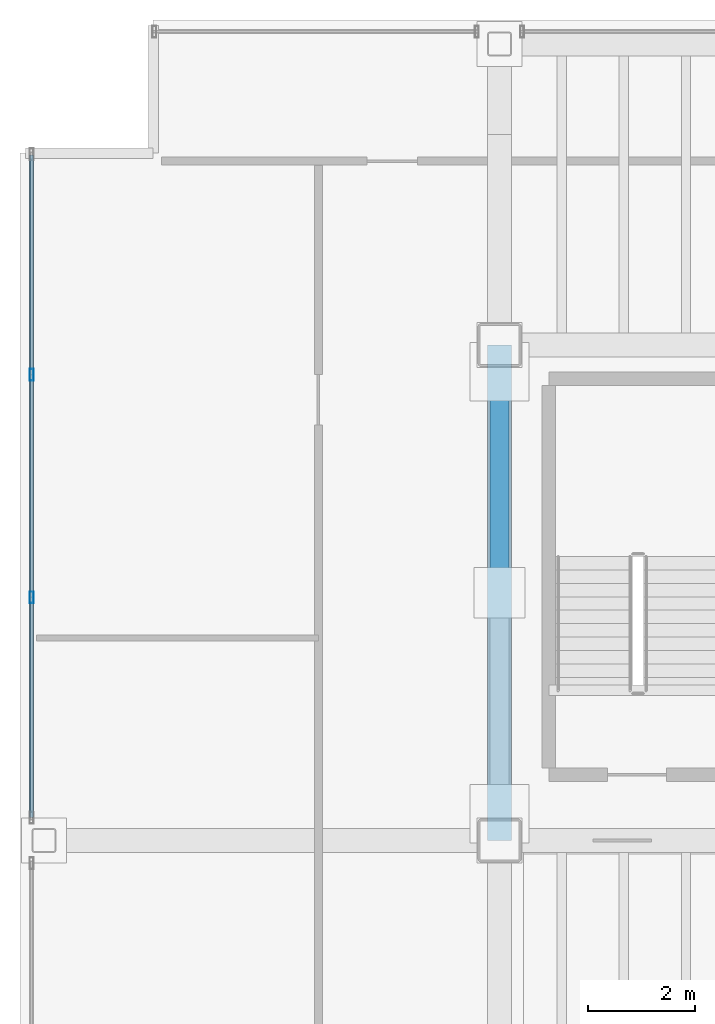
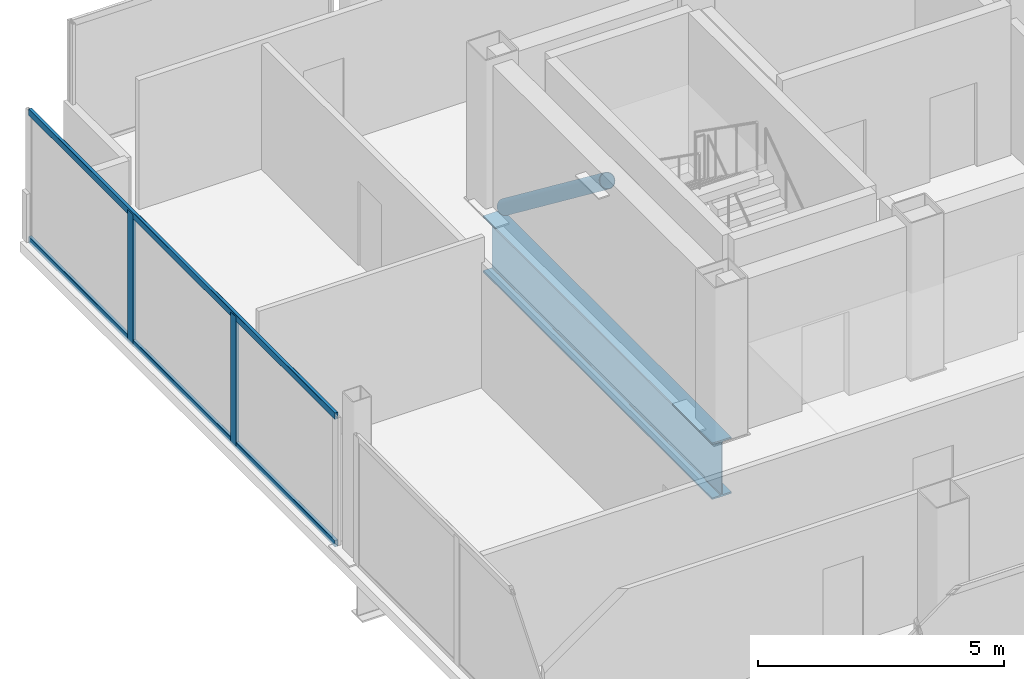
# One storey, part 8 of 19: 5 members, 1 beam, 1 element without a shape of its own.
"""IFC4 building model written with IfcOpenShell, lengths in metres."""

from ifc_helpers import new_model, si_unit, direction, frame, origin, origin_2d, place, context, subcontext, project, spatial, hollow_rectangle, hollow_circle, i_section, extrude, material, material_profile, profile_set, type_object, element, aggregate, save


model = new_model("IFC4")

# Units and contexts
model_context = context("Model", 3, precision=1e-05, world=origin(), true_north=direction((0.0, 1.0)))
body_context = subcontext(model_context, "Body", "Model", "MODEL_VIEW")
ifc_project = project(units=[si_unit("LENGTHUNIT", "METRE"), si_unit("AREAUNIT", "SQUARE_METRE"), si_unit("VOLUMEUNIT", "CUBIC_METRE"), si_unit("PLANEANGLEUNIT", "RADIAN"), si_unit("MASSUNIT", "GRAM", prefix="KILO")], contexts=[model_context])

# Site, building, storey
site_placement = place(None, origin())
site = spatial("IfcSite", under=ifc_project, at=site_placement, CompositionType="ELEMENT")
building_placement = place(site_placement, origin())
building = spatial("IfcBuilding", under=site, at=building_placement, Name="Noeulbin Bourse Tower", CompositionType="ELEMENT")
storey_placement = place(building_placement, frame((0.0, 0.0, 257.89990234375)))
storey = spatial("IfcBuildingStorey", under=building, at=storey_placement, Name="L64", CompositionType="ELEMENT", Elevation=257.89990234375)

# Beam
ifc_material_1 = material(Name="Steel S460", Category="steel")
ifc_material_profile_1 = material_profile(ifc_material_1, i_section(OverallWidth=0.449951171875, OverallDepth=1.39990234375, WebThickness=0.02392578125, FlangeThickness=0.0400390625, FilletRadius=0.02392578125, at=origin_2d()), Name="PG-1400x450x24x40", Category="LoadBearing")
ifc_profile_set_1 = profile_set([ifc_material_profile_1], Name="Steel S460")
beam_type = type_object("IfcBeamType", Name="BM-TRF-1400", PredefinedType="USERDEFINED", material=ifc_profile_set_1)
beam_placement = place(storey_placement, frame((13.5, 29.0, -0.93994140625), z_axis=(0.0, 1.0, 0.0), x_axis=(-1.0, 0.0, 0.0)))
element("IfcBeam", 1, at=beam_placement, inside=storey, type_object=beam_type, Name="Tower Primary Girder NS L64-1.3", ObjectType="GIRDER", PredefinedType="USERDEFINED", context=body_context, shape_type="SweptSolid", body=[
    extrude(i_section(OverallWidth=0.449951171875, OverallDepth=1.39990234375, WebThickness=0.02392578125, FlangeThickness=0.0400390625, FilletRadius=0.02392578125, at=origin_2d()), origin(), (0.0, 0.0, 1.0), 9.300048828125),
])

# Curtain wall, members
ifc_material_2 = material(Name="High-Selectivity Low-Iron Glazing", Category="glass")
curtain_wall_type = type_object("IfcCurtainWallType", Name="CW-SYS-4", PredefinedType="NOTDEFINED", material=ifc_material_2)
curtain_wall_placement = place(storey_placement, origin())
curtain_wall = element("IfcCurtainWall", 2, at=curtain_wall_placement, inside=storey, type_object=curtain_wall_type, Name="Unitised Curtain Wall CW-L64-W-S2", PredefinedType="NOTDEFINED")
ifc_material_3 = material(Name="Anodised Aluminium 6063-T6", Category="aluminium")
ifc_material_profile_2 = material_profile(ifc_material_3, hollow_rectangle(XDim=0.074951171875, YDim=0.219970703125, WallThickness=0.0048828125, InnerFilletRadius=0.00244140625, OuterFilletRadius=0.0048828125, at=origin_2d()), Name="ALU-MULL-75x220x5", Category="LoadBearing")
ifc_profile_set_2 = profile_set([ifc_material_profile_2], Name="Anodised Aluminium 6063-T6")
member_type_1 = type_object("IfcMemberType", Name="CW-SYS-4-MUL", PredefinedType="MULLION", material=ifc_profile_set_2)
member_1_placement = place(storey_placement, frame((4.719970703125, 33.563232421875, -0.02001953125), z_axis=(0.0, 0.0, 1.0), x_axis=(1.0, 0.0, 0.0)))
member_1 = element("IfcMember", 3, at=member_1_placement, type_object=member_type_1, Name="Curtain Wall Mullion CW-L64-W-S2-M01", PredefinedType="MULLION", context=body_context, shape_type="SweptSolid", body=[
    extrude(hollow_rectangle(XDim=0.074951171875, YDim=0.219970703125, WallThickness=0.0048828125, InnerFilletRadius=0.00244140625, OuterFilletRadius=0.0048828125, at=origin_2d()), origin(), (0.0, 0.0, 1.0), 3.22021484375),
])
member_2_placement = place(storey_placement, frame((4.719970703125, 37.74169921875, -0.02001953125), z_axis=(0.0, 0.0, 1.0), x_axis=(1.0, 0.0, 0.0)))
member_2 = element("IfcMember", 4, at=member_2_placement, type_object=member_type_1, Name="Curtain Wall Mullion CW-L64-W-S2-M02", PredefinedType="MULLION", context=body_context, shape_type="SweptSolid", body=[
    extrude(hollow_rectangle(XDim=0.074951171875, YDim=0.219970703125, WallThickness=0.0048828125, InnerFilletRadius=0.00244140625, OuterFilletRadius=0.0048828125, at=origin_2d()), origin(), (0.0, 0.0, 1.0), 3.22021484375),
])
ifc_material_profile_3 = material_profile(ifc_material_3, hollow_rectangle(XDim=0.074951171875, YDim=0.159912109375, WallThickness=0.0048828125, InnerFilletRadius=0.00244140625, OuterFilletRadius=0.0048828125, at=origin_2d()), Name="ALU-TRAN-75x160x5", Category="LoadBearing")
ifc_profile_set_3 = profile_set([ifc_material_profile_3], Name="Anodised Aluminium 6063-T6")
member_type_2 = type_object("IfcMemberType", Name="CW-SYS-4-TRN", PredefinedType="USERDEFINED", material=ifc_profile_set_3)
member_3_placement = place(storey_placement, frame((4.719970703125, 29.43505859375, 0.010009765625), z_axis=(0.0, 1.0, 0.0), x_axis=(-1.0, 0.0, 0.0)))
member_3 = element("IfcMember", 5, at=member_3_placement, type_object=member_type_2, Name="Curtain Wall Transom CW-L64-W-S2-T00", ObjectType="TRANSOM", PredefinedType="USERDEFINED", context=body_context, shape_type="SweptSolid", body=[
    extrude(hollow_rectangle(XDim=0.074951171875, YDim=0.159912109375, WallThickness=0.0048828125, InnerFilletRadius=0.00244140625, OuterFilletRadius=0.0048828125, at=origin_2d()), origin(), (0.0, 0.0, 1.0), 12.43505859375),
])
member_4_placement = place(storey_placement, frame((4.719970703125, 29.43505859375, 3.170166015625), z_axis=(0.0, 1.0, 0.0), x_axis=(-1.0, 0.0, 0.0)))
member_4 = element("IfcMember", 6, at=member_4_placement, type_object=member_type_2, Name="Curtain Wall Transom CW-L64-W-S2-T01", ObjectType="TRANSOM", PredefinedType="USERDEFINED", context=body_context, shape_type="SweptSolid", body=[
    extrude(hollow_rectangle(XDim=0.074951171875, YDim=0.159912109375, WallThickness=0.0048828125, InnerFilletRadius=0.00244140625, OuterFilletRadius=0.0048828125, at=origin_2d()), origin(), (0.0, 0.0, 1.0), 12.43505859375),
])
aggregate(curtain_wall, [member_1, member_2, member_3, member_4])

# Member
ifc_material_4 = material(Name="Steel S355", Category="steel")
ifc_material_profile_4 = material_profile(ifc_material_4, hollow_circle(Radius=0.177734375, WallThickness=0.0126953125, at=origin_2d()), Name="CHS-355.6x12.7", Category="LoadBearing")
ifc_profile_set_4 = profile_set([ifc_material_profile_4], Name="Steel S355")
member_type_3 = type_object("IfcMemberType", Name="MEM-EXO-356", PredefinedType="BRACE", material=ifc_profile_set_4)
member_5_placement = place(storey_placement, frame((13.5, 33.64990234375, 3.3701171875), z_axis=(0.0, 0.794701388985, -0.607000578538), x_axis=(-1.0, 0.0, 0.0)))
element("IfcMember", 7, at=member_5_placement, inside=storey, type_object=member_type_3, Name="Core Flank Chevron Brace XT-L64-W2", PredefinedType="BRACE", context=body_context, shape_type="SweptSolid", body=[
    extrude(hollow_circle(Radius=0.177734375, WallThickness=0.0126953125, at=origin_2d()), origin(), (0.0, 0.0, 1.0), 5.22216796875),
])

save(model, "model.ifc")
